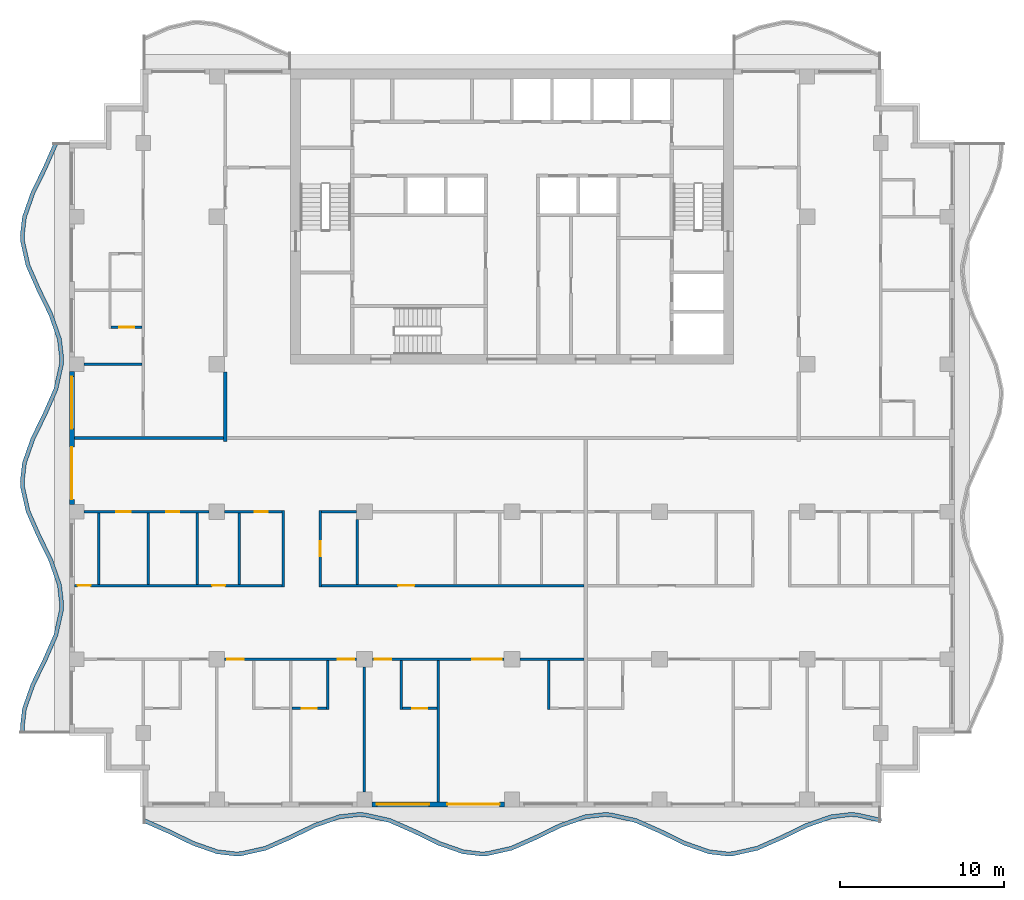
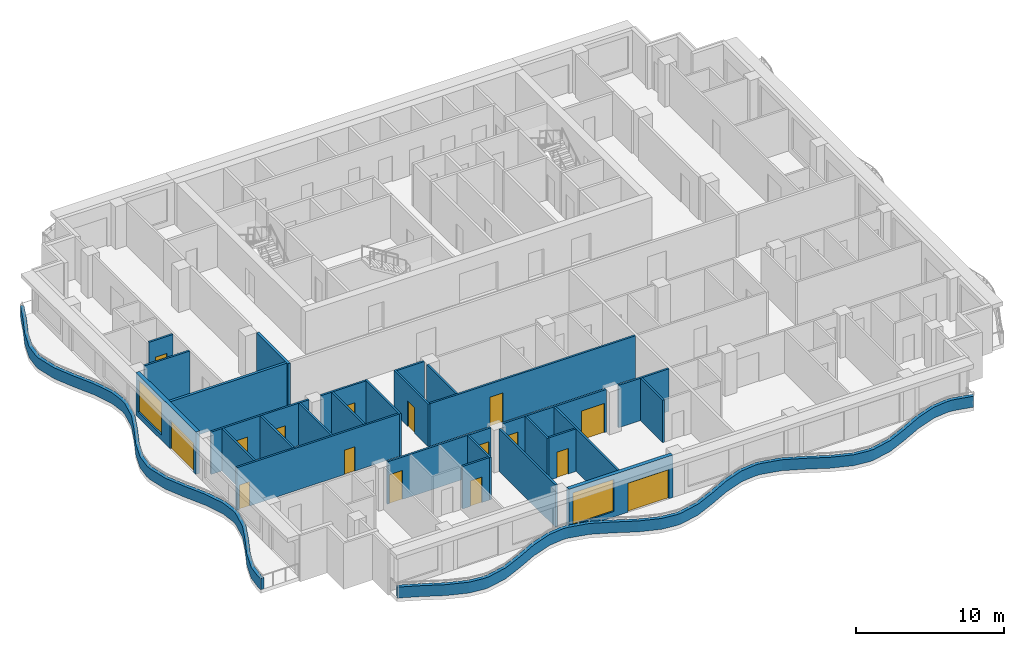
# One storey, part 2 of 11: 30 walls, 16 doors, 2 windows, 18 openings.
"""IFC4 building model written with IfcOpenShell, lengths in metres."""

from ifc_helpers import new_model, si_unit, direction, frame, frame_2d, origin, place, context, subcontext, project, spatial, polyline, rectangle, outline, extrude, material, layer, layer_set, type_object, element, fill, save


model = new_model("IFC4")

# Units and contexts
model_context = context("Model", 3, precision=1e-05, world=origin(), true_north=direction((0.0, 1.0)))
body_context = subcontext(model_context, "Body", "Model", "MODEL_VIEW")
ifc_project = project(units=[si_unit("LENGTHUNIT", "METRE"), si_unit("AREAUNIT", "SQUARE_METRE"), si_unit("VOLUMEUNIT", "CUBIC_METRE"), si_unit("PLANEANGLEUNIT", "RADIAN"), si_unit("MASSUNIT", "GRAM", prefix="KILO")], contexts=[model_context])

# Site, building, storey
site_placement = place(None, origin())
site = spatial("IfcSite", under=ifc_project, at=site_placement, CompositionType="ELEMENT")
building_placement = place(site_placement, origin())
building = spatial("IfcBuilding", under=site, at=building_placement, Name="Orbiselva Terraces", CompositionType="ELEMENT")
storey_placement = place(building_placement, frame((0.0, 0.0, 269.2)))
storey = spatial("IfcBuildingStorey", under=building, at=storey_placement, Name="L68", CompositionType="ELEMENT", Elevation=269.2)

# Walls
ifc_material_1 = material(Name="Concrete C40/50", Category="concrete")
ifc_layer_1 = layer(ifc_material_1, 0.25)
ifc_layer_set_1 = layer_set([ifc_layer_1], Name="Concrete C40/50")
wall_type_1 = type_object("IfcWallType", Name="ENV-PLANTER-250x900", PredefinedType="USERDEFINED", material=ifc_layer_set_1)
wall_1_placement = place(storey_placement, origin())
element("IfcWall", 1, at=wall_1_placement, inside=storey, type_object=wall_type_1, Name="Balcony planter L68 S", ObjectType="PLANTER", PredefinedType="USERDEFINED", context=body_context, shape_type="SweptSolid", body=[
    extrude(outline(polyline([(-22.5, -23.451472), (-21.0, -24.112279), (-19.5, -24.844789), (-18.0, -25.369208), (-16.875, -25.5), (-16.5, -25.485226), (-15.0, -25.148528), (-13.5, -24.487721), (-12.0, -23.755211), (-10.5, -23.230792), (-9.375, -23.1), (-9.0, -23.114774), (-7.5, -23.451472), (-6.0, -24.112279), (-4.5, -24.844789), (-3.0, -25.369208), (-1.875, -25.5), (-1.5, -25.485226), (0.0, -25.148528), (1.5, -24.487721), (3.0, -23.755211), (4.5, -23.230792), (5.625, -23.1), (6.0, -23.114774), (7.5, -23.451472), (9.0, -24.112279), (10.5, -24.844789), (12.0, -25.369208), (13.125, -25.5), (13.5, -25.485226), (15.0, -25.148528), (16.5, -24.487721), (18.0, -23.755211), (19.5, -23.230792), (20.625, -23.1), (21.0, -23.114774), (22.5, -23.451472), (22.554754, -23.207542), (21.032565, -22.865863), (20.615428, -22.849429), (19.443629, -22.985662), (17.90356, -23.524089), (16.394714, -24.260919), (14.921492, -24.90993), (13.467435, -25.236315), (13.134572, -25.249429), (12.056371, -25.124078), (10.59644, -24.613667), (9.105286, -23.885477), (7.578508, -23.212874), (6.032565, -22.865863), (5.615428, -22.849429), (4.443629, -22.985662), (2.90356, -23.524089), (1.394714, -24.260919), (-0.078508, -24.90993), (-1.532565, -25.236315), (-1.865428, -25.249429), (-2.943629, -25.124078), (-4.40356, -24.613667), (-5.894714, -23.885477), (-7.421492, -23.212874), (-8.967435, -22.865863), (-9.384572, -22.849429), (-10.556371, -22.985662), (-12.09644, -23.524089), (-13.605286, -24.260919), (-15.078508, -24.90993), (-16.532565, -25.236315), (-16.865428, -25.249429), (-17.943629, -25.124078), (-19.40356, -24.613667), (-20.894714, -23.885477), (-22.399212, -23.222689), (-22.5, -23.451472)])), origin(), (0.0, 0.0, 1.0), 0.9),
])
wall_2_placement = place(storey_placement, origin())
element("IfcWall", 2, at=wall_2_placement, inside=storey, type_object=wall_type_1, Name="Balcony planter L68 W", ObjectType="PLANTER", PredefinedType="USERDEFINED", context=body_context, shape_type="SweptSolid", body=[
    extrude(outline(polyline([(-27.951472, 18.0), (-28.612279, 16.5), (-29.344789, 15.0), (-29.869208, 13.5), (-30.0, 12.375), (-29.985226, 12.0), (-29.648528, 10.5), (-28.987721, 9.0), (-28.255211, 7.5), (-27.730792, 6.0), (-27.6, 4.875), (-27.614774, 4.5), (-27.951472, 3.0), (-28.612279, 1.5), (-29.344789, 0.0), (-29.869208, -1.5), (-30.0, -2.625), (-29.985226, -3.0), (-29.648528, -4.5), (-28.987721, -6.0), (-28.255211, -7.5), (-27.730792, -9.0), (-27.6, -10.125), (-27.614774, -10.5), (-27.951472, -12.0), (-28.612279, -13.5), (-29.344789, -15.0), (-29.869208, -16.5), (-30.0, -17.625), (-29.985226, -18.0), (-29.73542, -17.990158), (-29.749429, -17.634572), (-29.624078, -16.556371), (-29.113667, -15.09644), (-28.385477, -13.605286), (-27.712874, -12.078508), (-27.365863, -10.532565), (-27.349429, -10.115428), (-27.485662, -8.943629), (-28.024089, -7.40356), (-28.760919, -5.894714), (-29.40993, -4.421492), (-29.736315, -2.967435), (-29.749429, -2.634572), (-29.624078, -1.556371), (-29.113667, -0.09644), (-28.385477, 1.394714), (-27.712874, 2.921492), (-27.365863, 4.467435), (-27.349429, 4.884572), (-27.485662, 6.056371), (-28.024089, 7.59644), (-28.760919, 9.105286), (-29.40993, 10.578508), (-29.736315, 12.032565), (-29.749429, 12.365428), (-29.624078, 13.443629), (-29.113667, 14.90356), (-28.385477, 16.394714), (-27.722689, 17.899212), (-27.951472, 18.0)])), origin(), (0.0, 0.0, 1.0), 0.9),
])

# Wall, openings, door, window
ifc_material_2 = material(Name="Terracotta cladding on masonry backing", Category="masonry")
ifc_layer_2 = layer(ifc_material_2, 0.3)
ifc_layer_set_2 = layer_set([ifc_layer_2], Name="Terracotta cladding on masonry backing")
wall_type_2 = type_object("IfcWallType", Name="ENV-WALL-TERRACOTTA-300", PredefinedType="SOLIDWALL", material=ifc_layer_set_2)
wall_3_placement = place(storey_placement, frame((-0.45, -22.35, 0.0), z_axis=(0.0, 0.0, 1.0), x_axis=(-1.0, 0.0, 0.0)))
wall_3 = element("IfcWall", 3, at=wall_3_placement, inside=storey, type_object=wall_type_2, Name="Facade wall L68 S", PredefinedType="SOLIDWALL", context=body_context, shape_type="SweptSolid", body=[
    extrude(rectangle(XDim=8.1, YDim=0.3, at=frame_2d((4.05, 0.0))), origin(), (0.0, 0.0, 1.0), 3.5),
])
opening_1_placement = place(wall_3_placement, frame((4.6, 0.0, 0.45)))
opening_1 = element("IfcOpeningElement", 4, at=opening_1_placement, cuts=wall_3, Name="Opening WN17", PredefinedType="OPENING", context=body_context, shape_type="SweptSolid", body=[
    extrude(rectangle(XDim=3.2, YDim=2.65, at=frame_2d((1.6, 1.325))), frame((0.0, 0.16, 0.0), z_axis=(0.0, -1.0, 0.0), x_axis=(1.0, 0.0, 0.0)), (0.0, 0.0, 1.0), 0.32),
])
opening_2_placement = place(wall_3_placement, frame((0.3, 0.0, 0.0)))
opening_2 = element("IfcOpeningElement", 5, at=opening_2_placement, cuts=wall_3, Name="Opening Z5-C-E13", PredefinedType="OPENING", context=body_context, shape_type="SweptSolid", body=[
    extrude(rectangle(XDim=3.2, YDim=2.4, at=frame_2d((1.6, 1.2))), frame((0.0, 0.16, 0.0), z_axis=(0.0, -1.0, 0.0), x_axis=(1.0, 0.0, 0.0)), (0.0, 0.0, 1.0), 0.32),
])
ifc_material_3 = material(Name="Clear low-e glazing in aluminium frame", Category="aluminium")
door_type_1 = type_object("IfcDoorType", Name="BALCONY DOOR 3200 X 2400", OperationType="DOUBLE_DOOR_SLIDING", PredefinedType="DOOR", material=ifc_material_3)
door_1_placement = place(opening_2_placement, origin())
door_1 = element("IfcDoor", 6, at=door_1_placement, inside=storey, type_object=door_type_1, Name="Z5-C-E13", OperationType="SINGLE_SWING_LEFT", OverallHeight=2.4, OverallWidth=3.2, PredefinedType="DOOR", context=body_context, shape_type="SweptSolid", body=[
    extrude(rectangle(XDim=3.2, YDim=2.4, at=frame_2d((1.6, 1.2))), frame((0.0, 0.025, 0.0), z_axis=(0.0, -1.0, 0.0), x_axis=(1.0, 0.0, 0.0)), (0.0, 0.0, 1.0), 0.05),
])
fill(opening_2, door_1)
window_type = type_object("IfcWindowType", Name="WINDOW 3200 X 2650 S450", PartitioningType="TRIPLE_PANEL_VERTICAL", PredefinedType="WINDOW", material=ifc_material_3)
window_1_placement = place(opening_1_placement, origin())
window_1 = element("IfcWindow", 7, at=window_1_placement, inside=storey, type_object=window_type, Name="Window L68 S", OverallHeight=2.65, OverallWidth=3.2, PartitioningType="SINGLE_PANEL", PredefinedType="WINDOW", context=body_context, shape_type="SweptSolid", body=[
    extrude(rectangle(XDim=3.2, YDim=2.65, at=frame_2d((1.6, 1.325))), frame((0.0, 0.03, 0.0), z_axis=(0.0, -1.0, 0.0), x_axis=(1.0, 0.0, 0.0)), (0.0, 0.0, 1.0), 0.06),
])
fill(opening_1, window_1)

wall_4_placement = place(storey_placement, frame((-26.85, -4.05, 0.0), z_axis=(0.0, 0.0, 1.0), x_axis=(0.0, 1.0, 0.0)))
wall_4 = element("IfcWall", 8, at=wall_4_placement, inside=storey, type_object=wall_type_2, Name="Facade wall L68 W", PredefinedType="SOLIDWALL", context=body_context, shape_type="SweptSolid", body=[
    extrude(rectangle(XDim=8.1, YDim=0.3, at=frame_2d((4.05, 0.0))), origin(), (0.0, 0.0, 1.0), 3.5),
])
opening_3_placement = place(wall_4_placement, frame((4.6, 0.0, 0.45)))
opening_3 = element("IfcOpeningElement", 9, at=opening_3_placement, cuts=wall_4, Name="Opening WN17", PredefinedType="OPENING", context=body_context, shape_type="SweptSolid", body=[
    extrude(rectangle(XDim=3.2, YDim=2.65, at=frame_2d((1.6, 1.325))), frame((0.0, 0.16, 0.0), z_axis=(0.0, -1.0, 0.0), x_axis=(1.0, 0.0, 0.0)), (0.0, 0.0, 1.0), 0.32),
])
opening_4_placement = place(wall_4_placement, frame((0.3, 0.0, 0.0)))
opening_4 = element("IfcOpeningElement", 10, at=opening_4_placement, cuts=wall_4, Name="Opening Z5-C-E15", PredefinedType="OPENING", context=body_context, shape_type="SweptSolid", body=[
    extrude(rectangle(XDim=3.2, YDim=2.4, at=frame_2d((1.6, 1.2))), frame((0.0, 0.16, 0.0), z_axis=(0.0, -1.0, 0.0), x_axis=(1.0, 0.0, 0.0)), (0.0, 0.0, 1.0), 0.32),
])
door_2_placement = place(opening_4_placement, origin())
door_2 = element("IfcDoor", 11, at=door_2_placement, inside=storey, type_object=door_type_1, Name="Z5-C-E15", OperationType="SINGLE_SWING_LEFT", OverallHeight=2.4, OverallWidth=3.2, PredefinedType="DOOR", context=body_context, shape_type="SweptSolid", body=[
    extrude(rectangle(XDim=3.2, YDim=2.4, at=frame_2d((1.6, 1.2))), frame((0.0, 0.025, 0.0), z_axis=(0.0, -1.0, 0.0), x_axis=(1.0, 0.0, 0.0)), (0.0, 0.0, 1.0), 0.05),
])
fill(opening_4, door_2)
window_2_placement = place(opening_3_placement, origin())
window_2 = element("IfcWindow", 12, at=window_2_placement, inside=storey, type_object=window_type, Name="Window L68 W", OverallHeight=2.65, OverallWidth=3.2, PartitioningType="SINGLE_PANEL", PredefinedType="WINDOW", context=body_context, shape_type="SweptSolid", body=[
    extrude(rectangle(XDim=3.2, YDim=2.65, at=frame_2d((1.6, 1.325))), frame((0.0, 0.03, 0.0), z_axis=(0.0, -1.0, 0.0), x_axis=(1.0, 0.0, 0.0)), (0.0, 0.0, 1.0), 0.06),
])
fill(opening_3, window_2)

# Wall
ifc_material_4 = material(Name="Plasterboard on steel stud partition", Category="steel")
ifc_layer_3 = layer(ifc_material_4, 0.2)
ifc_layer_set_3 = layer_set([ifc_layer_3], Name="Plasterboard on steel stud partition")
wall_type_3 = type_object("IfcWallType", Name="UNIT-ENTRANCE-WALL-200", PredefinedType="PARTITIONING", material=ifc_layer_set_3)
wall_5_placement = place(storey_placement, frame((-17.5, -0.2, 0.0), z_axis=(0.0, 0.0, 1.0), x_axis=(0.0, 1.0, 0.0)))
element("IfcWall", 13, at=wall_5_placement, inside=storey, type_object=wall_type_3, Name="PARTITION L68-053", PredefinedType="PARTITIONING", context=body_context, shape_type="SweptSolid", body=[
    extrude(rectangle(XDim=4.225, YDim=0.2, at=frame_2d((2.1125, 0.0))), origin(), (0.0, 0.0, 1.0), 3.5),
])

# Wall, opening, door
ifc_layer_4 = layer(ifc_material_4, 0.15)
ifc_layer_set_4 = layer_set([ifc_layer_4], Name="Plasterboard on steel stud partition")
wall_type_4 = type_object("IfcWallType", Name="UNIT-PARTITION-150", PredefinedType="PARTITIONING", material=ifc_layer_set_4)
wall_6_placement = place(storey_placement, frame((-13.425, -16.5, 0.0), z_axis=(0.0, 0.0, 1.0), x_axis=(1.0, 0.0, 0.0)))
wall_6 = element("IfcWall", 14, at=wall_6_placement, inside=storey, type_object=wall_type_4, Name="PARTITION L68-003", PredefinedType="PARTITIONING", context=body_context, shape_type="SweptSolid", body=[
    extrude(rectangle(XDim=2.1, YDim=0.15, at=frame_2d((1.05, 0.0))), origin(), (0.0, 0.0, 1.0), 3.5),
])
opening_5_placement = place(wall_6_placement, frame((0.6, 0.0, 0.0)))
opening_5 = element("IfcOpeningElement", 15, at=opening_5_placement, cuts=wall_6, Name="Opening Z5-C-31", PredefinedType="OPENING", context=body_context, shape_type="SweptSolid", body=[
    extrude(rectangle(XDim=0.9, YDim=2.1, at=frame_2d((0.45, 1.05))), frame((0.0, 0.085, 0.0), z_axis=(0.0, -1.0, 0.0), x_axis=(1.0, 0.0, 0.0)), (0.0, 0.0, 1.0), 0.17),
])
ifc_material_5 = material(Name="Painted timber door leaf", Category="wood")
door_type_2 = type_object("IfcDoorType", Name="BATH DOOR 900", OperationType="NOTDEFINED", PredefinedType="DOOR", material=ifc_material_5)
door_3_placement = place(opening_5_placement, origin())
door_3 = element("IfcDoor", 16, at=door_3_placement, inside=storey, type_object=door_type_2, Name="Z5-C-31", OperationType="SINGLE_SWING_LEFT", OverallHeight=2.1, OverallWidth=0.9, PredefinedType="DOOR", context=body_context, shape_type="SweptSolid", body=[
    extrude(rectangle(XDim=0.9, YDim=2.1, at=frame_2d((0.45, 1.05))), frame((0.0, 0.025, 0.0), z_axis=(0.0, -1.0, 0.0), x_axis=(1.0, 0.0, 0.0)), (0.0, 0.0, 1.0), 0.05),
])
fill(opening_5, door_3)

wall_7_placement = place(storey_placement, frame((-6.675, -16.5, 0.0), z_axis=(0.0, 0.0, 1.0), x_axis=(1.0, 0.0, 0.0)))
wall_7 = element("IfcWall", 17, at=wall_7_placement, inside=storey, type_object=wall_type_4, Name="PARTITION L68-004", PredefinedType="PARTITIONING", context=body_context, shape_type="SweptSolid", body=[
    extrude(rectangle(XDim=2.1, YDim=0.15, at=frame_2d((1.05, 0.0))), origin(), (0.0, 0.0, 1.0), 3.5),
])
opening_6_placement = place(wall_7_placement, frame((0.6, 0.0, 0.0)))
opening_6 = element("IfcOpeningElement", 18, at=opening_6_placement, cuts=wall_7, Name="Opening Z5-C-29", PredefinedType="OPENING", context=body_context, shape_type="SweptSolid", body=[
    extrude(rectangle(XDim=0.9, YDim=2.1, at=frame_2d((0.45, 1.05))), frame((0.0, 0.085, 0.0), z_axis=(0.0, -1.0, 0.0), x_axis=(1.0, 0.0, 0.0)), (0.0, 0.0, 1.0), 0.17),
])
door_4_placement = place(opening_6_placement, origin())
door_4 = element("IfcDoor", 19, at=door_4_placement, inside=storey, type_object=door_type_2, Name="Z5-C-29", OperationType="SINGLE_SWING_LEFT", OverallHeight=2.1, OverallWidth=0.9, PredefinedType="DOOR", context=body_context, shape_type="SweptSolid", body=[
    extrude(rectangle(XDim=0.9, YDim=2.1, at=frame_2d((0.45, 1.05))), frame((0.0, 0.025, 0.0), z_axis=(0.0, -1.0, 0.0), x_axis=(1.0, 0.0, 0.0)), (0.0, 0.0, 1.0), 0.05),
])
fill(opening_6, door_4)

# Wall, openings, doors
wall_8_placement = place(storey_placement, frame((-9.475, -13.5, 0.0), z_axis=(0.0, 0.0, 1.0), x_axis=(-1.0, 0.0, 0.0)))
wall_8 = element("IfcWall", 20, at=wall_8_placement, inside=storey, type_object=wall_type_4, Name="PARTITION L68-010", PredefinedType="PARTITIONING", context=body_context, shape_type="SweptSolid", body=[
    extrude(rectangle(XDim=8.05, YDim=0.15, at=frame_2d((4.025, 0.0))), origin(), (0.0, 0.0, 1.0), 3.5),
])
opening_7_placement = place(wall_8_placement, frame((0.15, 0.0, 0.0)))
opening_7 = element("IfcOpeningElement", 21, at=opening_7_placement, cuts=wall_8, Name="Opening Z5-C-30", PredefinedType="OPENING", context=body_context, shape_type="SweptSolid", body=[
    extrude(rectangle(XDim=1.0, YDim=2.4, at=frame_2d((0.5, 1.2))), frame((0.0, 0.085, 0.0), z_axis=(0.0, -1.0, 0.0), x_axis=(1.0, 0.0, 0.0)), (0.0, 0.0, 1.0), 0.17),
])
opening_8_placement = place(wall_8_placement, frame((6.9, 0.0, 0.0)))
opening_8 = element("IfcOpeningElement", 22, at=opening_8_placement, cuts=wall_8, Name="Opening Z5-C-32", PredefinedType="OPENING", context=body_context, shape_type="SweptSolid", body=[
    extrude(rectangle(XDim=1.0, YDim=2.4, at=frame_2d((0.5, 1.2))), frame((0.0, 0.085, 0.0), z_axis=(0.0, -1.0, 0.0), x_axis=(1.0, 0.0, 0.0)), (0.0, 0.0, 1.0), 0.17),
])
door_type_3 = type_object("IfcDoorType", Name="ROOM DOOR 1000", OperationType="NOTDEFINED", PredefinedType="DOOR", material=ifc_material_5)
door_5_placement = place(opening_7_placement, origin())
door_5 = element("IfcDoor", 23, at=door_5_placement, inside=storey, type_object=door_type_3, Name="Z5-C-30", OperationType="SINGLE_SWING_LEFT", OverallHeight=2.4, OverallWidth=1.0, PredefinedType="DOOR", context=body_context, shape_type="SweptSolid", body=[
    extrude(rectangle(XDim=1.0, YDim=2.4, at=frame_2d((0.5, 1.2))), frame((0.0, 0.025, 0.0), z_axis=(0.0, -1.0, 0.0), x_axis=(1.0, 0.0, 0.0)), (0.0, 0.0, 1.0), 0.05),
])
fill(opening_7, door_5)
door_6_placement = place(opening_8_placement, origin())
door_6 = element("IfcDoor", 24, at=door_6_placement, inside=storey, type_object=door_type_3, Name="Z5-C-32", OperationType="SINGLE_SWING_RIGHT", OverallHeight=2.4, OverallWidth=1.0, PredefinedType="DOOR", context=body_context, shape_type="SweptSolid", body=[
    extrude(rectangle(XDim=1.0, YDim=2.4, at=frame_2d((0.5, 1.2))), frame((0.0, 0.025, 0.0), z_axis=(0.0, -1.0, 0.0), x_axis=(1.0, 0.0, 0.0)), (0.0, 0.0, 1.0), 0.05),
])
fill(opening_8, door_6)

wall_9_placement = place(storey_placement, frame((-0.475, -13.5, 0.0), z_axis=(0.0, 0.0, 1.0), x_axis=(-1.0, 0.0, 0.0)))
wall_9 = element("IfcWall", 25, at=wall_9_placement, inside=storey, type_object=wall_type_4, Name="PARTITION L68-011", PredefinedType="PARTITIONING", context=body_context, shape_type="SweptSolid", body=[
    extrude(rectangle(XDim=8.05, YDim=0.15, at=frame_2d((4.025, 0.0))), origin(), (0.0, 0.0, 1.0), 3.5),
])
opening_9_placement = place(wall_9_placement, frame((0.15, 0.0, 0.0)))
opening_9 = element("IfcOpeningElement", 26, at=opening_9_placement, cuts=wall_9, Name="Opening Z5-C-26", PredefinedType="OPENING", context=body_context, shape_type="SweptSolid", body=[
    extrude(rectangle(XDim=1.8, YDim=2.4, at=frame_2d((0.9, 1.2))), frame((0.0, 0.085, 0.0), z_axis=(0.0, -1.0, 0.0), x_axis=(1.0, 0.0, 0.0)), (0.0, 0.0, 1.0), 0.17),
])
opening_10_placement = place(wall_9_placement, frame((6.9, 0.0, 0.0)))
opening_10 = element("IfcOpeningElement", 27, at=opening_10_placement, cuts=wall_9, Name="Opening Z5-C-28", PredefinedType="OPENING", context=body_context, shape_type="SweptSolid", body=[
    extrude(rectangle(XDim=1.0, YDim=2.4, at=frame_2d((0.5, 1.2))), frame((0.0, 0.085, 0.0), z_axis=(0.0, -1.0, 0.0), x_axis=(1.0, 0.0, 0.0)), (0.0, 0.0, 1.0), 0.17),
])
door_type_4 = type_object("IfcDoorType", Name="DOUBLE DOOR 1800", OperationType="NOTDEFINED", PredefinedType="DOOR", material=ifc_material_5)
door_7_placement = place(opening_9_placement, origin())
door_7 = element("IfcDoor", 28, at=door_7_placement, inside=storey, type_object=door_type_4, Name="Z5-C-26", OperationType="DOUBLE_DOOR_SINGLE_SWING", OverallHeight=2.4, OverallWidth=1.8, PredefinedType="DOOR", context=body_context, shape_type="SweptSolid", body=[
    extrude(rectangle(XDim=1.8, YDim=2.4, at=frame_2d((0.9, 1.2))), frame((0.0, 0.025, 0.0), z_axis=(0.0, -1.0, 0.0), x_axis=(1.0, 0.0, 0.0)), (0.0, 0.0, 1.0), 0.05),
])
fill(opening_9, door_7)
door_8_placement = place(opening_10_placement, origin())
door_8 = element("IfcDoor", 29, at=door_8_placement, inside=storey, type_object=door_type_3, Name="Z5-C-28", OperationType="SINGLE_SWING_RIGHT", OverallHeight=2.4, OverallWidth=1.0, PredefinedType="DOOR", context=body_context, shape_type="SweptSolid", body=[
    extrude(rectangle(XDim=1.0, YDim=2.4, at=frame_2d((0.5, 1.2))), frame((0.0, 0.025, 0.0), z_axis=(0.0, -1.0, 0.0), x_axis=(1.0, 0.0, 0.0)), (0.0, 0.0, 1.0), 0.05),
])
fill(opening_10, door_8)

# Wall
wall_10_placement = place(storey_placement, frame((0.475, -13.5, 0.0), z_axis=(0.0, 0.0, 1.0), x_axis=(1.0, 0.0, 0.0)))
element("IfcWall", 30, at=wall_10_placement, inside=storey, type_object=wall_type_4, Name="PARTITION L68-012", PredefinedType="PARTITIONING", context=body_context, shape_type="SweptSolid", body=[
    extrude(rectangle(XDim=3.925, YDim=0.15, at=frame_2d((1.9625, 0.0))), origin(), (0.0, 0.0, 1.0), 3.5),
])

# Wall, openings, doors
wall_11_placement = place(storey_placement, frame((-26.7, -9.0, 0.0), z_axis=(0.0, 0.0, 1.0), x_axis=(1.0, 0.0, 0.0)))
wall_11 = element("IfcWall", 31, at=wall_11_placement, inside=storey, type_object=wall_type_4, Name="PARTITION L68-016", PredefinedType="PARTITIONING", context=body_context, shape_type="SweptSolid", body=[
    extrude(rectangle(XDim=12.675, YDim=0.15, at=frame_2d((6.3375, 0.0))), origin(), (0.0, 0.0, 1.0), 3.5),
])
opening_11_placement = place(wall_11_placement, frame((8.4, 0.0, 0.0)))
opening_11 = element("IfcOpeningElement", 32, at=opening_11_placement, cuts=wall_11, Name="Opening Z5-C-22", PredefinedType="OPENING", context=body_context, shape_type="SweptSolid", body=[
    extrude(rectangle(XDim=0.8, YDim=2.0, at=frame_2d((0.4, 1.0))), frame((0.0, 0.085, 0.0), z_axis=(0.0, -1.0, 0.0), x_axis=(1.0, 0.0, 0.0)), (0.0, 0.0, 1.0), 0.17),
])
opening_12_placement = place(wall_11_placement, frame((0.2, 0.0, 0.0)))
opening_12 = element("IfcOpeningElement", 33, at=opening_12_placement, cuts=wall_11, Name="Opening Z5-C-25", PredefinedType="OPENING", context=body_context, shape_type="SweptSolid", body=[
    extrude(rectangle(XDim=0.8, YDim=2.0, at=frame_2d((0.4, 1.0))), frame((0.0, 0.085, 0.0), z_axis=(0.0, -1.0, 0.0), x_axis=(1.0, 0.0, 0.0)), (0.0, 0.0, 1.0), 0.17),
])
door_type_5 = type_object("IfcDoorType", Name="STORE DOOR 800", OperationType="NOTDEFINED", PredefinedType="DOOR", material=ifc_material_5)
door_9_placement = place(opening_11_placement, origin())
door_9 = element("IfcDoor", 34, at=door_9_placement, inside=storey, type_object=door_type_5, Name="Z5-C-22", OperationType="SINGLE_SWING_RIGHT", OverallHeight=2.0, OverallWidth=0.8, PredefinedType="DOOR", context=body_context, shape_type="SweptSolid", body=[
    extrude(rectangle(XDim=0.8, YDim=2.0, at=frame_2d((0.4, 1.0))), frame((0.0, 0.025, 0.0), z_axis=(0.0, -1.0, 0.0), x_axis=(1.0, 0.0, 0.0)), (0.0, 0.0, 1.0), 0.05),
])
fill(opening_11, door_9)
door_10_placement = place(opening_12_placement, origin())
door_10 = element("IfcDoor", 35, at=door_10_placement, inside=storey, type_object=door_type_5, Name="Z5-C-25", OperationType="SINGLE_SWING_LEFT", OverallHeight=2.0, OverallWidth=0.8, PredefinedType="DOOR", context=body_context, shape_type="SweptSolid", body=[
    extrude(rectangle(XDim=0.8, YDim=2.0, at=frame_2d((0.4, 1.0))), frame((0.0, 0.025, 0.0), z_axis=(0.0, -1.0, 0.0), x_axis=(1.0, 0.0, 0.0)), (0.0, 0.0, 1.0), 0.05),
])
fill(opening_12, door_10)

# Wall, opening, door
wall_12_placement = place(storey_placement, frame((-11.625, -9.0, 0.0), z_axis=(0.0, 0.0, 1.0), x_axis=(1.0, 0.0, 0.0)))
wall_12 = element("IfcWall", 36, at=wall_12_placement, inside=storey, type_object=wall_type_4, Name="PARTITION L68-017", PredefinedType="PARTITIONING", context=body_context, shape_type="SweptSolid", body=[
    extrude(rectangle(XDim=16.025, YDim=0.15, at=frame_2d((8.0125, 0.0))), origin(), (0.0, 0.0, 1.0), 3.5),
])
opening_13_placement = place(wall_12_placement, frame((4.675, 0.0, 0.0)))
opening_13 = element("IfcOpeningElement", 37, at=opening_13_placement, cuts=wall_12, Name="Opening Z5-C-19", PredefinedType="OPENING", context=body_context, shape_type="SweptSolid", body=[
    extrude(rectangle(XDim=1.0, YDim=2.4, at=frame_2d((0.5, 1.2))), frame((0.0, 0.085, 0.0), z_axis=(0.0, -1.0, 0.0), x_axis=(1.0, 0.0, 0.0)), (0.0, 0.0, 1.0), 0.17),
])
door_11_placement = place(opening_13_placement, origin())
door_11 = element("IfcDoor", 38, at=door_11_placement, inside=storey, type_object=door_type_3, Name="Z5-C-19", OperationType="SINGLE_SWING_LEFT", OverallHeight=2.4, OverallWidth=1.0, PredefinedType="DOOR", context=body_context, shape_type="SweptSolid", body=[
    extrude(rectangle(XDim=1.0, YDim=2.4, at=frame_2d((0.5, 1.2))), frame((0.0, 0.025, 0.0), z_axis=(0.0, -1.0, 0.0), x_axis=(1.0, 0.0, 0.0)), (0.0, 0.0, 1.0), 0.05),
])
fill(opening_13, door_11)

# Wall, openings, doors
wall_13_placement = place(storey_placement, frame((-18.475, -4.5, 0.0), z_axis=(0.0, 0.0, 1.0), x_axis=(-1.0, 0.0, 0.0)))
wall_13 = element("IfcWall", 39, at=wall_13_placement, inside=storey, type_object=wall_type_4, Name="PARTITION L68-020", PredefinedType="PARTITIONING", context=body_context, shape_type="SweptSolid", body=[
    extrude(rectangle(XDim=7.625, YDim=0.15, at=frame_2d((3.8125, 0.0))), origin(), (0.0, 0.0, 1.0), 3.5),
])
opening_14_placement = place(wall_13_placement, frame((1.825, 0.0, 0.0)))
opening_14 = element("IfcOpeningElement", 40, at=opening_14_placement, cuts=wall_13, Name="Opening Z5-C-23", PredefinedType="OPENING", context=body_context, shape_type="SweptSolid", body=[
    extrude(rectangle(XDim=0.8, YDim=2.0, at=frame_2d((0.4, 1.0))), frame((0.0, 0.085, 0.0), z_axis=(0.0, -1.0, 0.0), x_axis=(1.0, 0.0, 0.0)), (0.0, 0.0, 1.0), 0.17),
])
opening_15_placement = place(wall_13_placement, frame((4.775, 0.0, 0.0)))
opening_15 = element("IfcOpeningElement", 41, at=opening_15_placement, cuts=wall_13, Name="Opening Z5-C-24", PredefinedType="OPENING", context=body_context, shape_type="SweptSolid", body=[
    extrude(rectangle(XDim=0.9, YDim=2.1, at=frame_2d((0.45, 1.05))), frame((0.0, 0.085, 0.0), z_axis=(0.0, -1.0, 0.0), x_axis=(1.0, 0.0, 0.0)), (0.0, 0.0, 1.0), 0.17),
])
door_type_6 = type_object("IfcDoorType", Name="SERVICE DOOR 900", OperationType="NOTDEFINED", PredefinedType="DOOR", material=ifc_material_5)
door_12_placement = place(opening_15_placement, origin())
door_12 = element("IfcDoor", 42, at=door_12_placement, inside=storey, type_object=door_type_6, Name="Z5-C-24", OperationType="SINGLE_SWING_RIGHT", OverallHeight=2.1, OverallWidth=0.9, PredefinedType="DOOR", context=body_context, shape_type="SweptSolid", body=[
    extrude(rectangle(XDim=0.9, YDim=2.1, at=frame_2d((0.45, 1.05))), frame((0.0, 0.025, 0.0), z_axis=(0.0, -1.0, 0.0), x_axis=(1.0, 0.0, 0.0)), (0.0, 0.0, 1.0), 0.05),
])
fill(opening_15, door_12)
door_13_placement = place(opening_14_placement, origin())
door_13 = element("IfcDoor", 43, at=door_13_placement, inside=storey, type_object=door_type_5, Name="Z5-C-23", OperationType="SINGLE_SWING_LEFT", OverallHeight=2.0, OverallWidth=0.8, PredefinedType="DOOR", context=body_context, shape_type="SweptSolid", body=[
    extrude(rectangle(XDim=0.8, YDim=2.0, at=frame_2d((0.4, 1.0))), frame((0.0, 0.025, 0.0), z_axis=(0.0, -1.0, 0.0), x_axis=(1.0, 0.0, 0.0)), (0.0, 0.0, 1.0), 0.05),
])
fill(opening_14, door_13)

# Wall, opening, door
wall_14_placement = place(storey_placement, frame((-14.025, -4.5, 0.0), z_axis=(0.0, 0.0, 1.0), x_axis=(-1.0, 0.0, 0.0)))
wall_14 = element("IfcWall", 44, at=wall_14_placement, inside=storey, type_object=wall_type_4, Name="PARTITION L68-021", PredefinedType="PARTITIONING", context=body_context, shape_type="SweptSolid", body=[
    extrude(rectangle(XDim=3.5, YDim=0.15, at=frame_2d((1.75, 0.0))), origin(), (0.0, 0.0, 1.0), 3.5),
])
opening_16_placement = place(wall_14_placement, frame((0.875, 0.0, 0.0)))
opening_16 = element("IfcOpeningElement", 45, at=opening_16_placement, cuts=wall_14, Name="Opening Z5-C-21", PredefinedType="OPENING", context=body_context, shape_type="SweptSolid", body=[
    extrude(rectangle(XDim=0.8, YDim=2.0, at=frame_2d((0.4, 1.0))), frame((0.0, 0.085, 0.0), z_axis=(0.0, -1.0, 0.0), x_axis=(1.0, 0.0, 0.0)), (0.0, 0.0, 1.0), 0.17),
])
door_14_placement = place(opening_16_placement, origin())
door_14 = element("IfcDoor", 46, at=door_14_placement, inside=storey, type_object=door_type_5, Name="Z5-C-21", OperationType="SINGLE_SWING_LEFT", OverallHeight=2.0, OverallWidth=0.8, PredefinedType="DOOR", context=body_context, shape_type="SweptSolid", body=[
    extrude(rectangle(XDim=0.8, YDim=2.0, at=frame_2d((0.4, 1.0))), frame((0.0, 0.025, 0.0), z_axis=(0.0, -1.0, 0.0), x_axis=(1.0, 0.0, 0.0)), (0.0, 0.0, 1.0), 0.05),
])
fill(opening_16, door_14)

# Walls
wall_15_placement = place(storey_placement, frame((-11.625, -4.5, 0.0), z_axis=(0.0, 0.0, 1.0), x_axis=(1.0, 0.0, 0.0)))
element("IfcWall", 47, at=wall_15_placement, inside=storey, type_object=wall_type_4, Name="PARTITION L68-022", PredefinedType="PARTITIONING", context=body_context, shape_type="SweptSolid", body=[
    extrude(rectangle(XDim=2.15, YDim=0.15, at=frame_2d((1.075, 0.0))), origin(), (0.0, 0.0, 1.0), 3.5),
])
wall_16_placement = place(storey_placement, frame((-26.1, 4.5, 0.0), z_axis=(0.0, 0.0, 1.0), x_axis=(1.0, 0.0, 0.0)))
element("IfcWall", 48, at=wall_16_placement, inside=storey, type_object=wall_type_4, Name="PARTITION L68-033", PredefinedType="PARTITIONING", context=body_context, shape_type="SweptSolid", body=[
    extrude(rectangle(XDim=3.525, YDim=0.15, at=frame_2d((1.7625, 0.0))), origin(), (0.0, 0.0, 1.0), 3.5),
])

# Wall, opening, door
wall_17_placement = place(storey_placement, frame((-24.45, 6.75, 0.0), z_axis=(0.0, 0.0, 1.0), x_axis=(1.0, 0.0, 0.0)))
wall_17 = element("IfcWall", 49, at=wall_17_placement, inside=storey, type_object=wall_type_4, Name="PARTITION L68-034", PredefinedType="PARTITIONING", context=body_context, shape_type="SweptSolid", body=[
    extrude(rectangle(XDim=1.875, YDim=0.15, at=frame_2d((0.9375, 0.0))), origin(), (0.0, 0.0, 1.0), 3.5),
])
opening_17_placement = place(wall_17_placement, frame((0.5, 0.0, 0.0)))
opening_17 = element("IfcOpeningElement", 50, at=opening_17_placement, cuts=wall_17, Name="Opening Z5-C-06", PredefinedType="OPENING", context=body_context, shape_type="SweptSolid", body=[
    extrude(rectangle(XDim=0.9, YDim=2.1, at=frame_2d((0.45, 1.05))), frame((0.0, 0.085, 0.0), z_axis=(0.0, -1.0, 0.0), x_axis=(1.0, 0.0, 0.0)), (0.0, 0.0, 1.0), 0.17),
])
door_15_placement = place(opening_17_placement, origin())
door_15 = element("IfcDoor", 51, at=door_15_placement, inside=storey, type_object=door_type_2, Name="Z5-C-06", OperationType="SINGLE_SWING_RIGHT", OverallHeight=2.1, OverallWidth=0.9, PredefinedType="DOOR", context=body_context, shape_type="SweptSolid", body=[
    extrude(rectangle(XDim=0.9, YDim=2.1, at=frame_2d((0.45, 1.05))), frame((0.0, 0.025, 0.0), z_axis=(0.0, -1.0, 0.0), x_axis=(1.0, 0.0, 0.0)), (0.0, 0.0, 1.0), 0.05),
])
fill(opening_17, door_15)

# Walls
for number, where, z_axis, x_axis, name in (
    (52, (-25.2, -8.925, 0.0), (0.0, 0.0, 1.0), (0.0, 1.0, 0.0), "PARTITION L68-043"),
    (53, (-22.2, -8.925, 0.0), (0.0, 0.0, 1.0), (0.0, 1.0, 0.0), "PARTITION L68-049"),
    (54, (-19.2, -8.925, 0.0), (0.0, 0.0, 1.0), (0.0, 1.0, 0.0), "PARTITION L68-051"),
    (55, (-16.65, -8.925, 0.0), (0.0, 0.0, 1.0), (0.0, 1.0, 0.0), "PARTITION L68-057"),
):
    element("IfcWall", number, at=place(storey_placement, frame(where, z_axis=z_axis, x_axis=x_axis)), inside=storey, type_object=wall_type_4, Name=name, PredefinedType="PARTITIONING", context=body_context, shape_type="SweptSolid", body=[
        extrude(rectangle(XDim=4.35, YDim=0.15, at=frame_2d((2.175, 0.0))), origin(), (0.0, 0.0, 1.0), 3.5),
    ])
wall_18_placement = place(storey_placement, frame((-13.95, -9.075, 0.0), z_axis=(0.0, 0.0, 1.0), x_axis=(0.0, 1.0, 0.0)))
element("IfcWall", 56, at=wall_18_placement, inside=storey, type_object=wall_type_4, Name="PARTITION L68-059", PredefinedType="PARTITIONING", context=body_context, shape_type="SweptSolid", body=[
    extrude(rectangle(XDim=4.65, YDim=0.15, at=frame_2d((2.325, 0.0))), origin(), (0.0, 0.0, 1.0), 3.5),
])

# Wall, opening, door
wall_19_placement = place(storey_placement, frame((-11.7, -4.425, 0.0), z_axis=(0.0, 0.0, 1.0), x_axis=(0.0, -1.0, 0.0)))
wall_19 = element("IfcWall", 57, at=wall_19_placement, inside=storey, type_object=wall_type_4, Name="PARTITION L68-061", PredefinedType="PARTITIONING", context=body_context, shape_type="SweptSolid", body=[
    extrude(rectangle(XDim=4.65, YDim=0.15, at=frame_2d((2.325, 0.0))), origin(), (0.0, 0.0, 1.0), 3.5),
])
opening_18_placement = place(wall_19_placement, frame((1.875, 0.0, 0.0)))
opening_18 = element("IfcOpeningElement", 58, at=opening_18_placement, cuts=wall_19, Name="Opening Z5-C-20", PredefinedType="OPENING", context=body_context, shape_type="SweptSolid", body=[
    extrude(rectangle(XDim=0.9, YDim=2.1, at=frame_2d((0.45, 1.05))), frame((0.0, 0.085, 0.0), z_axis=(0.0, -1.0, 0.0), x_axis=(1.0, 0.0, 0.0)), (0.0, 0.0, 1.0), 0.17),
])
door_16_placement = place(opening_18_placement, origin())
door_16 = element("IfcDoor", 59, at=door_16_placement, inside=storey, type_object=door_type_2, Name="Z5-C-20", OperationType="SINGLE_SWING_RIGHT", OverallHeight=2.1, OverallWidth=0.9, PredefinedType="DOOR", context=body_context, shape_type="SweptSolid", body=[
    extrude(rectangle(XDim=0.9, YDim=2.1, at=frame_2d((0.45, 1.05))), frame((0.0, 0.025, 0.0), z_axis=(0.0, -1.0, 0.0), x_axis=(1.0, 0.0, 0.0)), (0.0, 0.0, 1.0), 0.05),
])
fill(opening_18, door_16)

# Walls
wall_20_placement = place(storey_placement, frame((-11.25, -16.575, 0.0), z_axis=(0.0, 0.0, 1.0), x_axis=(0.0, 1.0, 0.0)))
element("IfcWall", 60, at=wall_20_placement, inside=storey, type_object=wall_type_4, Name="PARTITION L68-062", PredefinedType="PARTITIONING", context=body_context, shape_type="SweptSolid", body=[
    extrude(rectangle(XDim=3.0, YDim=0.15, at=frame_2d((1.5, 0.0))), origin(), (0.0, 0.0, 1.0), 3.5),
])
wall_21_placement = place(storey_placement, frame((-9.45, -8.925, 0.0), z_axis=(0.0, 0.0, 1.0), x_axis=(0.0, 1.0, 0.0)))
element("IfcWall", 61, at=wall_21_placement, inside=storey, type_object=wall_type_4, Name="PARTITION L68-063", PredefinedType="PARTITIONING", context=body_context, shape_type="SweptSolid", body=[
    extrude(rectangle(XDim=3.95, YDim=0.15, at=frame_2d((1.975, 0.0))), origin(), (0.0, 0.0, 1.0), 3.5),
])
wall_22_placement = place(storey_placement, frame((-9.0, -21.6, 0.0), z_axis=(0.0, 0.0, 1.0), x_axis=(0.0, 1.0, 0.0)))
element("IfcWall", 62, at=wall_22_placement, inside=storey, type_object=wall_type_4, Name="PARTITION L68-064", PredefinedType="PARTITIONING", context=body_context, shape_type="SweptSolid", body=[
    extrude(rectangle(XDim=7.625, YDim=0.15, at=frame_2d((3.8125, 0.0))), origin(), (0.0, 0.0, 1.0), 3.5),
])
wall_23_placement = place(storey_placement, frame((-6.75, -16.575, 0.0), z_axis=(0.0, 0.0, 1.0), x_axis=(0.0, 1.0, 0.0)))
element("IfcWall", 63, at=wall_23_placement, inside=storey, type_object=wall_type_4, Name="PARTITION L68-065", PredefinedType="PARTITIONING", context=body_context, shape_type="SweptSolid", body=[
    extrude(rectangle(XDim=3.0, YDim=0.15, at=frame_2d((1.5, 0.0))), origin(), (0.0, 0.0, 1.0), 3.5),
])
wall_24_placement = place(storey_placement, frame((-4.5, -22.2, 0.0), z_axis=(0.0, 0.0, 1.0), x_axis=(0.0, 1.0, 0.0)))
element("IfcWall", 64, at=wall_24_placement, inside=storey, type_object=wall_type_4, Name="PARTITION L68-066", PredefinedType="PARTITIONING", context=body_context, shape_type="SweptSolid", body=[
    extrude(rectangle(XDim=8.625, YDim=0.15, at=frame_2d((4.3125, 0.0))), origin(), (0.0, 0.0, 1.0), 3.5),
])
wall_25_placement = place(storey_placement, frame((2.25, -16.575, 0.0), z_axis=(0.0, 0.0, 1.0), x_axis=(0.0, 1.0, 0.0)))
element("IfcWall", 65, at=wall_25_placement, inside=storey, type_object=wall_type_4, Name="PARTITION L68-070", PredefinedType="PARTITIONING", context=body_context, shape_type="SweptSolid", body=[
    extrude(rectangle(XDim=3.0, YDim=0.15, at=frame_2d((1.5, 0.0))), origin(), (0.0, 0.0, 1.0), 3.5),
])
ifc_layer_5 = layer(ifc_material_4, 0.2)
ifc_layer_set_5 = layer_set([ifc_layer_5], Name="Plasterboard on steel stud partition")
wall_type_5 = type_object("IfcWallType", Name="UNIT-PARTY-WALL-200", PredefinedType="PARTITIONING", material=ifc_layer_set_5)
wall_26_placement = place(storey_placement, frame((-26.7, 0.0, 0.0), z_axis=(0.0, 0.0, 1.0), x_axis=(1.0, 0.0, 0.0)))
element("IfcWall", 66, at=wall_26_placement, inside=storey, type_object=wall_type_5, Name="PARTITION L68-030", PredefinedType="PARTITIONING", context=body_context, shape_type="SweptSolid", body=[
    extrude(rectangle(XDim=9.1, YDim=0.2, at=frame_2d((4.55, 0.0))), origin(), (0.0, 0.0, 1.0), 3.5),
])

save(model, "model.ifc")
